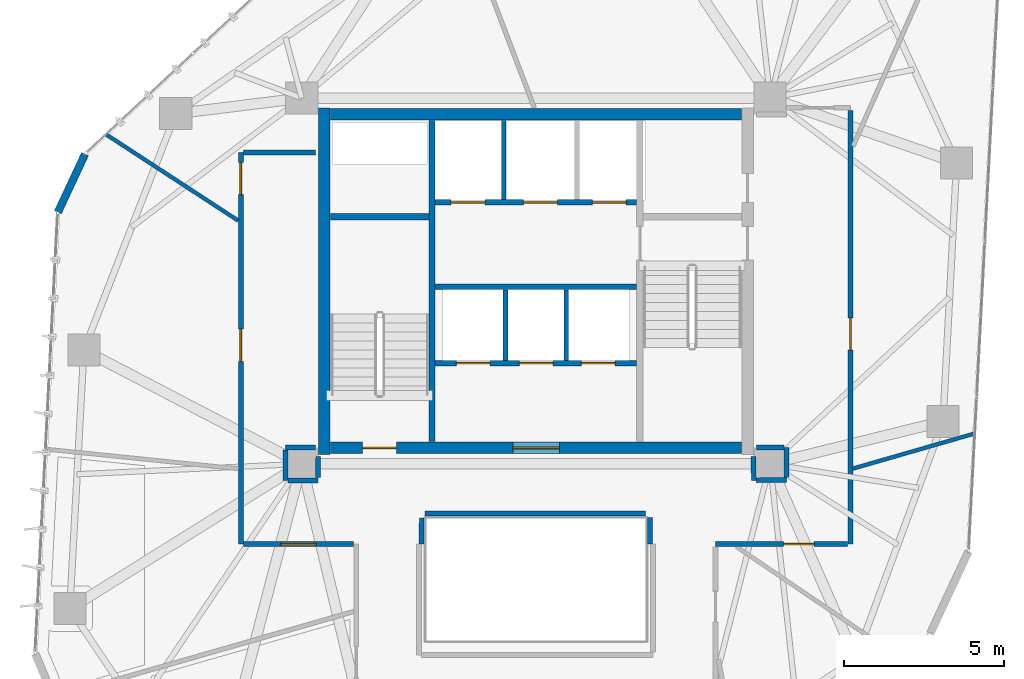
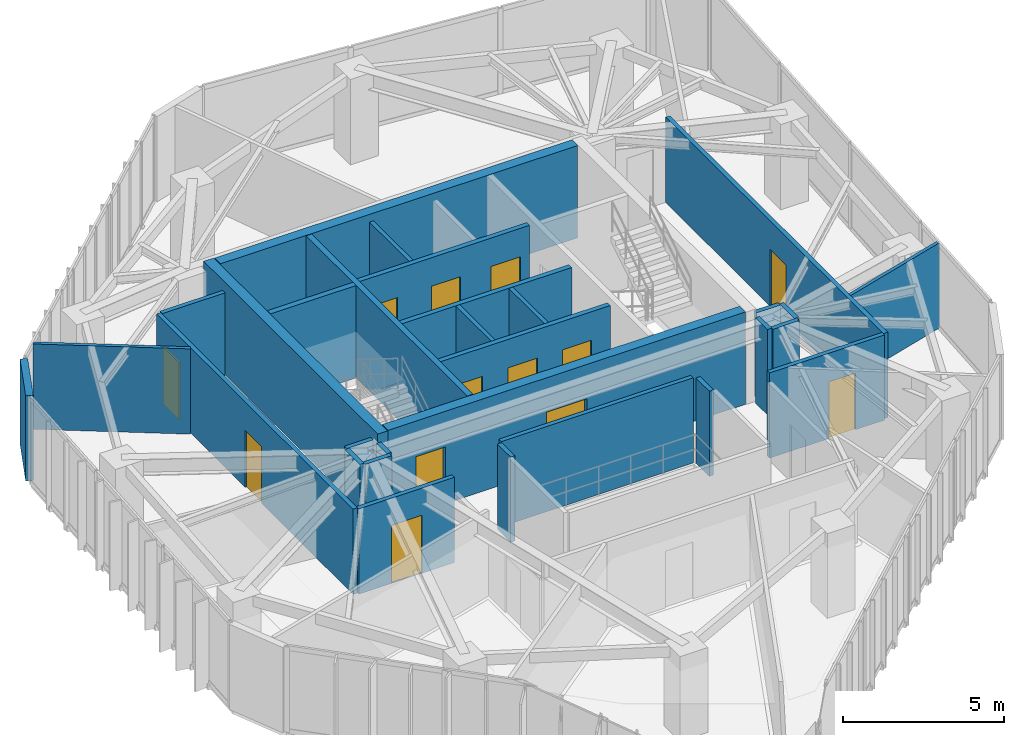
# One storey, part 16 of 19: 30 walls, 13 doors, 13 openings.
"""IFC4 building model written with IfcOpenShell, lengths in metres."""

from ifc_helpers import new_model, si_unit, direction, frame, frame_2d, origin, place, context, subcontext, project, spatial, rectangle, extrude, source, transform, mapped, material, layer, layer_set, type_object, type_shapes, element, fill, save


model = new_model("IFC4")

# Units and contexts
model_context = context("Model", 3, precision=1e-05, world=origin(), true_north=direction((0.0, 1.0)))
body_context = subcontext(model_context, "Body", "Model", "MODEL_VIEW")
ifc_project = project(units=[si_unit("LENGTHUNIT", "METRE"), si_unit("AREAUNIT", "SQUARE_METRE"), si_unit("VOLUMEUNIT", "CUBIC_METRE"), si_unit("PLANEANGLEUNIT", "RADIAN"), si_unit("MASSUNIT", "GRAM", prefix="KILO")], contexts=[model_context])

# Site, building, storey
site_placement = place(None, origin())
site = spatial("IfcSite", under=ifc_project, at=site_placement, CompositionType="ELEMENT")
building_placement = place(site_placement, origin())
building = spatial("IfcBuilding", under=site, at=building_placement, Name="Talar Marvaseh", CompositionType="ELEMENT")
storey_placement = place(building_placement, frame((0.0, 0.0, 218.699951171875)))
storey = spatial("IfcBuildingStorey", under=building, at=storey_placement, Name="L57", CompositionType="ELEMENT", Elevation=218.699951171875)

# Wall
ifc_material_1 = material(Name="Precast concrete C45/55", Category="concrete")
ifc_layer_1 = layer(ifc_material_1, 0.239990234375)
ifc_layer_set_1 = layer_set([ifc_layer_1], Name="Precast concrete C45/55")
wall_type_1 = type_object("IfcWallType", Name="Chamfered Hexagonal Corner Pier Wall Z3 240", PredefinedType="SOLIDWALL", material=ifc_layer_set_1)
wall_1_placement = place(storey_placement, frame((11.098388671875, 33.34375, 0.0), z_axis=(0.0, 0.0, 1.0), x_axis=(0.422571833361, 0.906329435498, 0.0)))
element("IfcWall", 1, at=wall_1_placement, inside=storey, type_object=wall_type_1, Name="L57 Chamfered Corner Limestone Pier 3", PredefinedType="SOLIDWALL", context=body_context, shape_type="SweptSolid", body=[
    extrude(rectangle(XDim=2.003173828125, YDim=0.239990234375, at=frame_2d((1.00146484375, 0.0))), origin(), (0.0, 0.0, 1.0), 3.22998046875),
])

# Wall, openings, doors
ifc_material_2 = material(Name="Gypsum Board Partition Assembly")
ifc_layer_2 = layer(ifc_material_2, 0.155029296875)
ifc_layer_set_2 = layer_set([ifc_layer_2], Name="Gypsum Board Partition Assembly")
wall_type_2 = type_object("IfcWallType", Name="Corridor Fire-Rated Acoustic Partition 155", PredefinedType="PARTITIONING", material=ifc_layer_set_2)
wall_2_placement = place(storey_placement, frame((16.800048828125, 23.0, 0.0), z_axis=(0.0, 0.0, 1.0), x_axis=(0.0, 1.0, 0.0)))
wall_2 = element("IfcWall", 2, at=wall_2_placement, inside=storey, type_object=wall_type_2, Name="L57 Interior Partition Wall", PredefinedType="PARTITIONING", context=body_context, shape_type="SweptSolid", body=[
    extrude(rectangle(XDim=12.199951171875, YDim=0.155029296875, at=frame_2d((6.10009765625, 0.0))), origin(), (0.0, 0.0, 1.0), 3.22998046875),
])
opening_1_placement = place(wall_2_placement, frame((10.891845703125, 0.0, 0.0)))
opening_1 = element("IfcOpeningElement", 3, at=opening_1_placement, cuts=wall_2, Name="Opening DR-RM100", PredefinedType="OPENING", context=body_context, shape_type="SweptSolid", body=[
    extrude(rectangle(XDim=1.0, YDim=2.14990234375, at=frame_2d((0.5, 1.074951171875))), frame((0.0, 0.08740234375, 0.0), z_axis=(0.0, -1.0, 0.0), x_axis=(1.0, 0.0, 0.0)), (0.0, 0.0, 1.0), 0.175048828125),
])
opening_2_placement = place(wall_2_placement, frame((5.697021484375, 0.0, 0.0)))
opening_2 = element("IfcOpeningElement", 4, at=opening_2_placement, cuts=wall_2, Name="Opening DR-RM100", PredefinedType="OPENING", context=body_context, shape_type="SweptSolid", body=[
    extrude(rectangle(XDim=1.0, YDim=2.14990234375, at=frame_2d((0.5, 1.074951171875))), frame((0.0, 0.08740234375, 0.0), z_axis=(0.0, -1.0, 0.0), x_axis=(1.0, 0.0, 0.0)), (0.0, 0.0, 1.0), 0.175048828125),
])
ifc_material_3 = material(Name="Acoustic Engineered Oak Timber", Category="wood")
door_type_1 = type_object("IfcDoorType", Name="Corridor Fire-Rated Gallery Door 1000x2150", OperationType="NOTDEFINED", PredefinedType="DOOR", material=ifc_material_3)
shared_shape_1 = source(origin(), body_context, "Body", "SweptSolid", [
    extrude(rectangle(XDim=1.0, YDim=2.14990234375, at=frame_2d((0.5, 1.074951171875))), frame((0.0, 0.02490234375, 0.0), z_axis=(0.0, -1.0, 0.0), x_axis=(1.0, 0.0, 0.0)), (0.0, 0.0, 1.0), 0.050048828125),
])
type_shapes(door_type_1, [shared_shape_1])
door_1_placement = place(opening_1_placement, origin())
door_1 = element("IfcDoor", 5, at=door_1_placement, inside=storey, type_object=door_type_1, Name="L57 Digital Paleography Studio Door", OperationType="SINGLE_SWING_RIGHT", OverallHeight=2.14990234375, OverallWidth=1.0, PredefinedType="DOOR", context=body_context, shape_type="MappedRepresentation", body=[
    mapped(shared_shape_1, transform((0.0, 0.0, 0.0), x_axis=(1.0, 0.0, 0.0), y_axis=(0.0, 1.0, 0.0), z_axis=(0.0, 0.0, 1.0), scale=1.0)),
])
fill(opening_1, door_1)
door_2_placement = place(opening_2_placement, origin())
door_2 = element("IfcDoor", 6, at=door_2_placement, inside=storey, type_object=door_type_1, Name="L57 Quiet Research Study Door", OperationType="SINGLE_SWING_LEFT", OverallHeight=2.14990234375, OverallWidth=1.0, PredefinedType="DOOR", context=body_context, shape_type="MappedRepresentation", body=[
    mapped(shared_shape_1, transform((0.0, 0.0, 0.0), x_axis=(1.0, 0.0, 0.0), y_axis=(0.0, 1.0, 0.0), z_axis=(0.0, 0.0, 1.0), scale=1.0)),
])
fill(opening_2, door_2)

# Wall, opening, door
wall_3_placement = place(storey_placement, frame((35.800048828125, 36.5166015625, 0.0), z_axis=(0.0, 0.0, 1.0), x_axis=(0.0, -1.0, 0.0)))
wall_3 = element("IfcWall", 7, at=wall_3_placement, inside=storey, type_object=wall_type_2, Name="L57 Interior Partition Wall", PredefinedType="PARTITIONING", context=body_context, shape_type="SweptSolid", body=[
    extrude(rectangle(XDim=13.5166015625, YDim=0.155029296875, at=frame_2d((6.75830078125, 0.0))), origin(), (0.0, 0.0, 1.0), 3.22998046875),
])
opening_3_placement = place(wall_3_placement, frame((6.4716796875, 0.0, 0.0)))
opening_3 = element("IfcOpeningElement", 8, at=opening_3_placement, cuts=wall_3, Name="Opening DR-RM100", PredefinedType="OPENING", context=body_context, shape_type="SweptSolid", body=[
    extrude(rectangle(XDim=1.0, YDim=2.14990234375, at=frame_2d((0.5, 1.074951171875))), frame((0.0, 0.08740234375, 0.0), z_axis=(0.0, -1.0, 0.0), x_axis=(1.0, 0.0, 0.0)), (0.0, 0.0, 1.0), 0.175048828125),
])
door_3_placement = place(opening_3_placement, origin())
door_3 = element("IfcDoor", 9, at=door_3_placement, inside=storey, type_object=door_type_1, Name="L57 Scholars' Registration Reception Door", OperationType="SINGLE_SWING_RIGHT", OverallHeight=2.14990234375, OverallWidth=1.0, PredefinedType="DOOR", context=body_context, shape_type="MappedRepresentation", body=[
    mapped(shared_shape_1, transform((0.0, 0.0, 0.0), x_axis=(1.0, 0.0, 0.0), y_axis=(0.0, 1.0, 0.0), z_axis=(0.0, 0.0, 1.0), scale=1.0)),
])
fill(opening_3, door_3)

wall_4_placement = place(storey_placement, frame((35.716552734375, 23.0, 0.0), z_axis=(0.0, 0.0, 1.0), x_axis=(-1.0, 0.0, 0.0)))
wall_4 = element("IfcWall", 10, at=wall_4_placement, inside=storey, type_object=wall_type_2, Name="L57 Interior Partition Wall", PredefinedType="PARTITIONING", context=body_context, shape_type="SweptSolid", body=[
    extrude(rectangle(XDim=4.116455078125, YDim=0.155029296875, at=frame_2d((2.05810546875, 0.0))), origin(), (0.0, 0.0, 1.0), 3.22998046875),
])
opening_4_placement = place(wall_4_placement, frame((1.04296875, 0.0, 0.0)))
opening_4 = element("IfcOpeningElement", 11, at=opening_4_placement, cuts=wall_4, Name="Opening DR-WC095", PredefinedType="OPENING", context=body_context, shape_type="SweptSolid", body=[
    extrude(rectangle(XDim=0.949951171875, YDim=2.14990234375, at=frame_2d((0.47509765625, 1.074951171875))), frame((0.0, 0.08740234375, 0.0), z_axis=(0.0, -1.0, 0.0), x_axis=(1.0, 0.0, 0.0)), (0.0, 0.0, 1.0), 0.175048828125),
])
door_type_2 = type_object("IfcDoorType", Name="Washroom and Service Room Door 950x2150", OperationType="NOTDEFINED", PredefinedType="DOOR", material=ifc_material_3)
shared_shape_2 = source(origin(), body_context, "Body", "SweptSolid", [
    extrude(rectangle(XDim=0.949951171875, YDim=2.14990234375, at=frame_2d((0.47509765625, 1.074951171875))), frame((0.0, 0.02490234375, 0.0), z_axis=(0.0, -1.0, 0.0), x_axis=(1.0, 0.0, 0.0)), (0.0, 0.0, 1.0), 0.050048828125),
])
type_shapes(door_type_2, [shared_shape_2])
door_4_placement = place(opening_4_placement, origin())
door_4 = element("IfcDoor", 12, at=door_4_placement, inside=storey, type_object=door_type_2, Name="L57 Accessible WC Door", OperationType="SINGLE_SWING_LEFT", OverallHeight=2.14990234375, OverallWidth=0.949951171875, PredefinedType="DOOR", context=body_context, shape_type="MappedRepresentation", body=[
    mapped(shared_shape_2, transform((0.0, 0.0, 0.0), x_axis=(1.0, 0.0, 0.0), y_axis=(0.0, 1.0, 0.0), z_axis=(0.0, 0.0, 1.0), scale=1.0)),
])
fill(opening_4, door_4)

wall_5_placement = place(storey_placement, frame((20.31640625, 23.0, 0.0), z_axis=(0.0, 0.0, 1.0), x_axis=(-1.0, 0.0, 0.0)))
wall_5 = element("IfcWall", 13, at=wall_5_placement, inside=storey, type_object=wall_type_2, Name="L57 Interior Partition Wall", PredefinedType="PARTITIONING", context=body_context, shape_type="SweptSolid", body=[
    extrude(rectangle(XDim=3.432861328125, YDim=0.155029296875, at=frame_2d((1.71630859375, 0.0))), origin(), (0.0, 0.0, 1.0), 3.22998046875),
])
opening_5_placement = place(wall_5_placement, frame((1.16650390625, 0.0, 0.0)))
opening_5 = element("IfcOpeningElement", 14, at=opening_5_placement, cuts=wall_5, Name="Opening DR-RM110", PredefinedType="OPENING", context=body_context, shape_type="SweptSolid", body=[
    extrude(rectangle(XDim=1.10009765625, YDim=2.199951171875, at=frame_2d((0.550048828125, 1.10009765625))), frame((0.0, 0.08740234375, 0.0), z_axis=(0.0, -1.0, 0.0), x_axis=(1.0, 0.0, 0.0)), (0.0, 0.0, 1.0), 0.175048828125),
])
door_type_3 = type_object("IfcDoorType", Name="Assembly and Reading Hall Door 1100x2200", OperationType="NOTDEFINED", PredefinedType="DOOR", material=ifc_material_3)
shared_shape_3 = source(origin(), body_context, "Body", "SweptSolid", [
    extrude(rectangle(XDim=1.10009765625, YDim=2.199951171875, at=frame_2d((0.550048828125, 1.10009765625))), frame((0.0, 0.02490234375, 0.0), z_axis=(0.0, -1.0, 0.0), x_axis=(1.0, 0.0, 0.0)), (0.0, 0.0, 1.0), 0.050048828125),
])
type_shapes(door_type_3, [shared_shape_3])
door_5_placement = place(opening_5_placement, origin())
door_5 = element("IfcDoor", 15, at=door_5_placement, inside=storey, type_object=door_type_3, Name="L57 Gallery Concierge Reception Door", OperationType="SINGLE_SWING_RIGHT", OverallHeight=2.199951171875, OverallWidth=1.10009765625, PredefinedType="DOOR", context=body_context, shape_type="MappedRepresentation", body=[
    mapped(shared_shape_3, transform((0.0, 0.0, 0.0), x_axis=(1.0, 0.0, 0.0), y_axis=(0.0, 1.0, 0.0), z_axis=(0.0, 0.0, 1.0), scale=1.0)),
])
fill(opening_5, door_5)

# Walls
wall_6_placement = place(storey_placement, frame((16.883544921875, 35.199951171875, 0.0), z_axis=(0.0, 0.0, 1.0), x_axis=(1.0, 0.0, 0.0)))
element("IfcWall", 16, at=wall_6_placement, inside=storey, type_object=wall_type_2, Name="L57 Interior Partition Wall", PredefinedType="PARTITIONING", context=body_context, shape_type="SweptSolid", body=[
    extrude(rectangle(XDim=2.246337890625, YDim=0.155029296875, at=frame_2d((1.123046875, 0.0))), origin(), (0.0, 0.0, 1.0), 3.22998046875),
])
wall_7_placement = place(storey_placement, frame((19.1298828125, 26.0146484375, 0.0), z_axis=(0.0, 0.0, 1.0), x_axis=(-0.99999026157, -0.004413248818, 0.0)))
element("IfcWall", 17, at=wall_7_placement, inside=storey, type_object=wall_type_2, Name="L57 Interior Partition Wall", PredefinedType="PARTITIONING", context=body_context, shape_type="SweptSolid", body=[
    extrude(rectangle(XDim=0.9404296875, YDim=0.155029296875, at=frame_2d((0.47021484375, 0.0))), origin(), (0.0, 0.0, 1.0), 3.22998046875),
])
wall_8_placement = place(storey_placement, frame((18.189697265625, 25.927001953125, 0.0), z_axis=(0.0, 0.0, 1.0), x_axis=(0.002078997586, -0.999997838882, 0.0)))
element("IfcWall", 18, at=wall_8_placement, inside=storey, type_object=wall_type_2, Name="L57 Interior Partition Wall", PredefinedType="PARTITIONING", context=body_context, shape_type="SweptSolid", body=[
    extrude(rectangle(XDim=0.939453125, YDim=0.155029296875, at=frame_2d((0.4697265625, 0.0))), origin(), (0.0, 0.0, 1.0), 3.22998046875),
])
wall_9_placement = place(storey_placement, frame((18.275146484375, 24.987548828125, 0.0), z_axis=(0.0, 0.0, 1.0), x_axis=(0.999999692748, 0.0007839036, 0.0)))
element("IfcWall", 19, at=wall_9_placement, inside=storey, type_object=wall_type_2, Name="L57 Interior Partition Wall", PredefinedType="PARTITIONING", context=body_context, shape_type="SweptSolid", body=[
    extrude(rectangle(XDim=0.934326171875, YDim=0.155029296875, at=frame_2d((0.46728515625, 0.0))), origin(), (0.0, 0.0, 1.0), 3.22998046875),
])
wall_10_placement = place(storey_placement, frame((19.210205078125, 25.072021484375, 0.0), z_axis=(0.0, 0.0, 1.0), x_axis=(0.007420945932, 0.999972464402, 0.0)))
element("IfcWall", 20, at=wall_10_placement, inside=storey, type_object=wall_type_2, Name="L57 Interior Partition Wall", PredefinedType="PARTITIONING", context=body_context, shape_type="SweptSolid", body=[
    extrude(rectangle(XDim=0.657958984375, YDim=0.155029296875, at=frame_2d((0.3291015625, 0.0))), origin(), (0.0, 0.0, 1.0), 3.22998046875),
])
wall_11_placement = place(storey_placement, frame((32.784912109375, 25.72998046875, 0.0), z_axis=(0.0, 0.0, 1.0), x_axis=(0.007570553288, -0.999971342951, 0.0)))
element("IfcWall", 21, at=wall_11_placement, inside=storey, type_object=wall_type_2, Name="L57 Interior Partition Wall", PredefinedType="PARTITIONING", context=body_context, shape_type="SweptSolid", body=[
    extrude(rectangle(XDim=0.74169921875, YDim=0.155029296875, at=frame_2d((0.370849609375, 0.0))), origin(), (0.0, 0.0, 1.0), 3.22998046875),
])
wall_12_placement = place(storey_placement, frame((32.8740234375, 24.9892578125, 0.0), z_axis=(0.0, 0.0, 1.0), x_axis=(0.999934835738, 0.01141596595, 0.0)))
element("IfcWall", 22, at=wall_12_placement, inside=storey, type_object=wall_type_2, Name="L57 Interior Partition Wall", PredefinedType="PARTITIONING", context=body_context, shape_type="SweptSolid", body=[
    extrude(rectangle(XDim=0.94091796875, YDim=0.155029296875, at=frame_2d((0.470458984375, 0.0))), origin(), (0.0, 0.0, 1.0), 3.22998046875),
])
wall_13_placement = place(storey_placement, frame((33.814697265625, 25.08349609375, 0.0), z_axis=(0.0, 0.0, 1.0), x_axis=(-0.004477173984, 0.999989977406, 0.0)))
element("IfcWall", 23, at=wall_13_placement, inside=storey, type_object=wall_type_2, Name="L57 Interior Partition Wall", PredefinedType="PARTITIONING", context=body_context, shape_type="SweptSolid", body=[
    extrude(rectangle(XDim=0.927001953125, YDim=0.155029296875, at=frame_2d((0.46337890625, 0.0))), origin(), (0.0, 0.0, 1.0), 3.22998046875),
])
wall_14_placement = place(storey_placement, frame((33.72705078125, 26.010986328125, 0.0), z_axis=(0.0, 0.0, 1.0), x_axis=(-0.999990868706, 0.004273465251, 0.0)))
element("IfcWall", 24, at=wall_14_placement, inside=storey, type_object=wall_type_2, Name="L57 Interior Partition Wall", PredefinedType="PARTITIONING", context=body_context, shape_type="SweptSolid", body=[
    extrude(rectangle(XDim=0.85693359375, YDim=0.155029296875, at=frame_2d((0.428466796875, 0.0))), origin(), (0.0, 0.0, 1.0), 3.22998046875),
])
wall_15_placement = place(storey_placement, frame((29.415771484375, 23.959228515625, 0.0), z_axis=(0.0, 0.0, 1.0), x_axis=(-0.999998607957, -0.001668557745, 0.0)))
element("IfcWall", 25, at=wall_15_placement, inside=storey, type_object=wall_type_2, Name="L57 Interior Partition Wall", PredefinedType="PARTITIONING", context=body_context, shape_type="SweptSolid", body=[
    extrude(rectangle(XDim=6.876953125, YDim=0.155029296875, at=frame_2d((3.4384765625, 0.0))), origin(), (0.0, 0.0, 1.0), 3.22998046875),
])
wall_16_placement = place(storey_placement, frame((22.44091796875, 23.815673828125, 0.0), z_axis=(0.0, 0.0, 1.0), x_axis=(-0.001197245475, -0.999999283301, 0.0)))
element("IfcWall", 26, at=wall_16_placement, inside=storey, type_object=wall_type_2, Name="L57 Interior Partition Wall", PredefinedType="PARTITIONING", context=body_context, shape_type="SweptSolid", body=[
    extrude(rectangle(XDim=0.815673828125, YDim=0.155029296875, at=frame_2d((0.40771484375, 0.0))), origin(), (0.0, 0.0, 1.0), 3.22998046875),
])
wall_17_placement = place(storey_placement, frame((29.56005859375, 23.0, 0.0), z_axis=(0.0, 0.0, 1.0), x_axis=(-0.003817887006, 0.999992711843, 0.0)))
element("IfcWall", 27, at=wall_17_placement, inside=storey, type_object=wall_type_2, Name="L57 Interior Partition Wall", PredefinedType="PARTITIONING", context=body_context, shape_type="SweptSolid", body=[
    extrude(rectangle(XDim=0.831298828125, YDim=0.155029296875, at=frame_2d((0.41552734375, 0.0))), origin(), (0.0, 0.0, 1.0), 3.22998046875),
])
ifc_layer_3 = layer(ifc_material_2, 0.1201171875)
ifc_layer_set_3 = layer_set([ifc_layer_3], Name="Gypsum Board Partition Assembly")
wall_type_3 = type_object("IfcWallType", Name="Demountable Studio Room Partition 120", PredefinedType="PARTITIONING", material=ifc_layer_set_3)
wall_18_placement = place(storey_placement, frame((35.862548828125, 25.347900390625, 0.0), z_axis=(0.0, 0.0, 1.0), x_axis=(0.960877397795, 0.276974053669, 0.0)))
element("IfcWall", 28, at=wall_18_placement, inside=storey, type_object=wall_type_3, Name="L57 Interior Partition Wall", PredefinedType="PARTITIONING", context=body_context, shape_type="SweptSolid", body=[
    extrude(rectangle(XDim=3.948974609375, YDim=0.1201171875, at=frame_2d((1.974609375, 0.0))), origin(), (0.0, 0.0, 1.0), 3.22998046875),
])
wall_19_placement = place(storey_placement, frame((16.716552734375, 33.08447265625, 0.0), z_axis=(0.0, 0.0, 1.0), x_axis=(-0.837444801525, 0.546521915753, 0.0)))
element("IfcWall", 29, at=wall_19_placement, inside=storey, type_object=wall_type_3, Name="L57 Interior Partition Wall", PredefinedType="PARTITIONING", context=body_context, shape_type="SweptSolid", body=[
    extrude(rectangle(XDim=4.893310546875, YDim=0.1201171875, at=frame_2d((2.44677734375, 0.0))), origin(), (0.0, 0.0, 1.0), 3.22998046875),
])
ifc_layer_4 = layer(ifc_material_1, 0.14501953125)
ifc_layer_set_4 = layer_set([ifc_layer_4], Name="Precast concrete C45/55")
wall_type_4 = type_object("IfcWallType", Name="Fire-Rated Lift Divider Wall 145", PredefinedType="SOLIDWALL", material=ifc_layer_set_4)
wall_20_placement = place(storey_placement, frame((25.0, 33.743408203125, 0.0), z_axis=(0.0, 0.0, 1.0), x_axis=(0.0, 1.0, 0.0)))
element("IfcWall", 30, at=wall_20_placement, inside=storey, type_object=wall_type_4, Name="L57 FFL-1/FFL-2 Divider", PredefinedType="SOLIDWALL", context=body_context, shape_type="SweptSolid", body=[
    extrude(rectangle(XDim=2.45654296875, YDim=0.14501953125, at=frame_2d((1.228271484375, 0.0))), origin(), (0.0, 0.0, 1.0), 3.22998046875),
])
for number, where, z_axis, x_axis, name in (
    (31, (25.050048828125, 28.719970703125, 0.0), (0.0, 0.0, 1.0), (0.0, 1.0, 0.0), "L57 PL-H1/PL-H2 Divider"),
    (32, (26.949951171875, 28.719970703125, 0.0), (0.0, 0.0, 1.0), (0.0, 1.0, 0.0), "L57 PL-H2/PL-H3 Divider"),
):
    element("IfcWall", number, at=place(storey_placement, frame(where, z_axis=z_axis, x_axis=x_axis)), inside=storey, type_object=wall_type_4, Name=name, PredefinedType="SOLIDWALL", context=body_context, shape_type="SweptSolid", body=[
        extrude(rectangle(XDim=2.20654296875, YDim=0.14501953125, at=frame_2d((1.103271484375, 0.0))), origin(), (0.0, 0.0, 1.0), 3.22998046875),
    ])

# Wall, openings, doors
ifc_layer_5 = layer(ifc_material_1, 0.175048828125)
ifc_layer_set_5 = layer_set([ifc_layer_5], Name="Precast concrete C45/55")
wall_type_5 = type_object("IfcWallType", Name="Fire-Rated Lift Hoistway Enclosure Wall 175", PredefinedType="SOLIDWALL", material=ifc_layer_set_5)
wall_21_placement = place(storey_placement, frame((22.860107421875, 33.64990234375, 0.0), z_axis=(0.0, 0.0, 1.0), x_axis=(1.0, 0.0, 0.0)))
wall_21 = element("IfcWall", 33, at=wall_21_placement, inside=storey, type_object=wall_type_5, Name="L57 Firefighting and Service Lift Front Wall", PredefinedType="SOLIDWALL", context=body_context, shape_type="SweptSolid", body=[
    extrude(rectangle(XDim=6.27978515625, YDim=0.175048828125, at=frame_2d((3.139892578125, 0.0))), origin(), (0.0, 0.0, 1.0), 3.22998046875),
])
opening_6_placement = place(wall_21_placement, frame((0.5, 0.0, 0.0)))
opening_6 = element("IfcOpeningElement", 34, at=opening_6_placement, cuts=wall_21, Name="Opening LD-FF1", PredefinedType="OPENING", context=body_context, shape_type="SweptSolid", body=[
    extrude(rectangle(XDim=1.050048828125, YDim=2.14990234375, at=frame_2d((0.52490234375, 1.074951171875))), frame((0.0, 0.09765625, 0.0), z_axis=(0.0, -1.0, 0.0), x_axis=(1.0, 0.0, 0.0)), (0.0, 0.0, 1.0), 0.195068359375),
])
opening_7_placement = place(wall_21_placement, frame((2.760009765625, 0.0, 0.0)))
opening_7 = element("IfcOpeningElement", 35, at=opening_7_placement, cuts=wall_21, Name="Opening LD-FF2", PredefinedType="OPENING", context=body_context, shape_type="SweptSolid", body=[
    extrude(rectangle(XDim=1.050048828125, YDim=2.14990234375, at=frame_2d((0.52490234375, 1.074951171875))), frame((0.0, 0.09765625, 0.0), z_axis=(0.0, -1.0, 0.0), x_axis=(1.0, 0.0, 0.0)), (0.0, 0.0, 1.0), 0.195068359375),
])
opening_8_placement = place(wall_21_placement, frame((4.89990234375, 0.0, 0.0)))
opening_8 = element("IfcOpeningElement", 36, at=opening_8_placement, cuts=wall_21, Name="Opening LD-SV1", PredefinedType="OPENING", context=body_context, shape_type="SweptSolid", body=[
    extrude(rectangle(XDim=1.050048828125, YDim=2.14990234375, at=frame_2d((0.52490234375, 1.074951171875))), frame((0.0, 0.09765625, 0.0), z_axis=(0.0, -1.0, 0.0), x_axis=(1.0, 0.0, 0.0)), (0.0, 0.0, 1.0), 0.195068359375),
])
ifc_material_4 = material(Name="Stainless Steel Grade 316", Category="steel")
door_type_4 = type_object("IfcDoorType", Name="Automatic Sliding Lift Landing Door 1050x2150", OperationType="NOTDEFINED", PredefinedType="DOOR", material=ifc_material_4)
shared_shape_4 = source(origin(), body_context, "Body", "SweptSolid", [
    extrude(rectangle(XDim=1.050048828125, YDim=2.14990234375, at=frame_2d((0.52490234375, 1.074951171875))), frame((0.0, 0.02490234375, 0.0), z_axis=(0.0, -1.0, 0.0), x_axis=(1.0, 0.0, 0.0)), (0.0, 0.0, 1.0), 0.050048828125),
])
type_shapes(door_type_4, [shared_shape_4])
door_6_placement = place(opening_6_placement, origin())
door_6 = element("IfcDoor", 37, at=door_6_placement, inside=storey, type_object=door_type_4, Name="L57 Lift FFL-1 Sliding Landing Door", OperationType="SLIDING_TO_LEFT", OverallHeight=2.14990234375, OverallWidth=1.050048828125, PredefinedType="DOOR", context=body_context, shape_type="MappedRepresentation", body=[
    mapped(shared_shape_4, transform((0.0, 0.0, 0.0), x_axis=(1.0, 0.0, 0.0), y_axis=(0.0, 1.0, 0.0), z_axis=(0.0, 0.0, 1.0), scale=1.0)),
])
fill(opening_6, door_6)
door_7_placement = place(opening_7_placement, origin())
door_7 = element("IfcDoor", 38, at=door_7_placement, inside=storey, type_object=door_type_4, Name="L57 Lift FFL-2 Sliding Landing Door", OperationType="SLIDING_TO_LEFT", OverallHeight=2.14990234375, OverallWidth=1.050048828125, PredefinedType="DOOR", context=body_context, shape_type="MappedRepresentation", body=[
    mapped(shared_shape_4, transform((0.0, 0.0, 0.0), x_axis=(1.0, 0.0, 0.0), y_axis=(0.0, 1.0, 0.0), z_axis=(0.0, 0.0, 1.0), scale=1.0)),
])
fill(opening_7, door_7)
door_8_placement = place(opening_8_placement, origin())
door_8 = element("IfcDoor", 39, at=door_8_placement, inside=storey, type_object=door_type_4, Name="L57 Lift SVL-1 Sliding Landing Door", OperationType="SLIDING_TO_LEFT", OverallHeight=2.14990234375, OverallWidth=1.050048828125, PredefinedType="DOOR", context=body_context, shape_type="MappedRepresentation", body=[
    mapped(shared_shape_4, transform((0.0, 0.0, 0.0), x_axis=(1.0, 0.0, 0.0), y_axis=(0.0, 1.0, 0.0), z_axis=(0.0, 0.0, 1.0), scale=1.0)),
])
fill(opening_8, door_8)

# Wall
wall_22_placement = place(storey_placement, frame((22.860107421875, 31.02001953125, 0.0), z_axis=(0.0, 0.0, 1.0), x_axis=(1.0, 0.0, 0.0)))
element("IfcWall", 40, at=wall_22_placement, inside=storey, type_object=wall_type_5, Name="L57 Firefighting Lobby South Smoke Wall", PredefinedType="SOLIDWALL", context=body_context, shape_type="SweptSolid", body=[
    extrude(rectangle(XDim=6.27978515625, YDim=0.175048828125, at=frame_2d((3.139892578125, 0.0))), origin(), (0.0, 0.0, 1.0), 3.22998046875),
])

# Wall, openings, doors
wall_23_placement = place(storey_placement, frame((22.860107421875, 28.639892578125, 0.0), z_axis=(0.0, 0.0, 1.0), x_axis=(1.0, 0.0, 0.0)))
wall_23 = element("IfcWall", 41, at=wall_23_placement, inside=storey, type_object=wall_type_5, Name="L57 High-Rise Lift Bank Front Wall", PredefinedType="SOLIDWALL", context=body_context, shape_type="SweptSolid", body=[
    extrude(rectangle(XDim=6.27978515625, YDim=0.175048828125, at=frame_2d((3.139892578125, 0.0))), origin(), (0.0, 0.0, 1.0), 3.22998046875),
])
opening_9_placement = place(wall_23_placement, frame((0.659912109375, 0.0, 0.0)))
opening_9 = element("IfcOpeningElement", 42, at=opening_9_placement, cuts=wall_23, Name="Opening LD-PLH1", PredefinedType="OPENING", context=body_context, shape_type="SweptSolid", body=[
    extrude(rectangle(XDim=1.050048828125, YDim=2.14990234375, at=frame_2d((0.52490234375, 1.074951171875))), frame((0.0, 0.09765625, 0.0), z_axis=(0.0, -1.0, 0.0), x_axis=(1.0, 0.0, 0.0)), (0.0, 0.0, 1.0), 0.195068359375),
])
opening_10_placement = place(wall_23_placement, frame((2.6201171875, 0.0, 0.0)))
opening_10 = element("IfcOpeningElement", 43, at=opening_10_placement, cuts=wall_23, Name="Opening LD-PLH2", PredefinedType="OPENING", context=body_context, shape_type="SweptSolid", body=[
    extrude(rectangle(XDim=1.050048828125, YDim=2.14990234375, at=frame_2d((0.52490234375, 1.074951171875))), frame((0.0, 0.09765625, 0.0), z_axis=(0.0, -1.0, 0.0), x_axis=(1.0, 0.0, 0.0)), (0.0, 0.0, 1.0), 0.195068359375),
])
opening_11_placement = place(wall_23_placement, frame((4.56005859375, 0.0, 0.0)))
opening_11 = element("IfcOpeningElement", 44, at=opening_11_placement, cuts=wall_23, Name="Opening LD-PLH3", PredefinedType="OPENING", context=body_context, shape_type="SweptSolid", body=[
    extrude(rectangle(XDim=1.050048828125, YDim=2.14990234375, at=frame_2d((0.52490234375, 1.074951171875))), frame((0.0, 0.09765625, 0.0), z_axis=(0.0, -1.0, 0.0), x_axis=(1.0, 0.0, 0.0)), (0.0, 0.0, 1.0), 0.195068359375),
])
door_9_placement = place(opening_9_placement, origin())
door_9 = element("IfcDoor", 45, at=door_9_placement, inside=storey, type_object=door_type_4, Name="L57 Lift PL-H1 Sliding Landing Door", OperationType="SLIDING_TO_LEFT", OverallHeight=2.14990234375, OverallWidth=1.050048828125, PredefinedType="DOOR", context=body_context, shape_type="MappedRepresentation", body=[
    mapped(shared_shape_4, transform((0.0, 0.0, 0.0), x_axis=(1.0, 0.0, 0.0), y_axis=(0.0, 1.0, 0.0), z_axis=(0.0, 0.0, 1.0), scale=1.0)),
])
fill(opening_9, door_9)
door_10_placement = place(opening_10_placement, origin())
door_10 = element("IfcDoor", 46, at=door_10_placement, inside=storey, type_object=door_type_4, Name="L57 Lift PL-H2 Sliding Landing Door", OperationType="SLIDING_TO_LEFT", OverallHeight=2.14990234375, OverallWidth=1.050048828125, PredefinedType="DOOR", context=body_context, shape_type="MappedRepresentation", body=[
    mapped(shared_shape_4, transform((0.0, 0.0, 0.0), x_axis=(1.0, 0.0, 0.0), y_axis=(0.0, 1.0, 0.0), z_axis=(0.0, 0.0, 1.0), scale=1.0)),
])
fill(opening_10, door_10)
door_11_placement = place(opening_11_placement, origin())
door_11 = element("IfcDoor", 47, at=door_11_placement, inside=storey, type_object=door_type_4, Name="L57 Lift PL-H3 Sliding Landing Door", OperationType="SLIDING_TO_LEFT", OverallHeight=2.14990234375, OverallWidth=1.050048828125, PredefinedType="DOOR", context=body_context, shape_type="MappedRepresentation", body=[
    mapped(shared_shape_4, transform((0.0, 0.0, 0.0), x_axis=(1.0, 0.0, 0.0), y_axis=(0.0, 1.0, 0.0), z_axis=(0.0, 0.0, 1.0), scale=1.0)),
])
fill(opening_11, door_11)

# Walls
ifc_material_5 = material(Name="Concrete C50/60", Category="concrete")
ifc_layer_6 = layer(ifc_material_5, 0.199951171875)
ifc_layer_set_6 = layer_set([ifc_layer_6], Name="Concrete C50/60")
wall_type_6 = type_object("IfcWallType", Name="Stair Shaft Structural Concrete Shear Wall 200", PredefinedType="SHEAR", material=ifc_layer_set_6)
wall_24_placement = place(storey_placement, frame((22.760009765625, 26.199951171875, 0.0), z_axis=(0.0, 0.0, 1.0), x_axis=(0.0, 1.0, 0.0)))
element("IfcWall", 48, at=wall_24_placement, inside=storey, type_object=wall_type_6, Name="L57 Core West Stair Shear Wall", PredefinedType="SHEAR", context=body_context, shape_type="SweptSolid", body=[
    extrude(rectangle(XDim=10.0, YDim=0.199951171875, at=frame_2d((5.0, 0.0))), origin(), (0.0, 0.0, 1.0), 3.5),
])
wall_25_placement = place(storey_placement, frame((19.60009765625, 33.199951171875, 0.0), z_axis=(0.0, 0.0, 1.0), x_axis=(1.0, 0.0, 0.0)))
element("IfcWall", 49, at=wall_25_placement, inside=storey, type_object=wall_type_6, Name="L57 Stair ST-1 North Shear Wall", PredefinedType="SHEAR", context=body_context, shape_type="SweptSolid", body=[
    extrude(rectangle(XDim=3.059814453125, YDim=0.199951171875, at=frame_2d((1.52978515625, 0.0))), origin(), (0.0, 0.0, 1.0), 3.5),
])
ifc_layer_7 = layer(ifc_material_5, 0.360107421875)
ifc_layer_set_7 = layer_set([ifc_layer_7], Name="Concrete C50/60")
wall_type_7 = type_object("IfcWallType", Name="Upper Core Reinforced Concrete Shear Wall 360", PredefinedType="SHEAR", material=ifc_layer_set_7)
wall_26_placement = place(storey_placement, frame((19.39990234375, 25.800048828125, 0.0), z_axis=(0.0, 0.0, 1.0), x_axis=(0.0, 1.0, 0.0)))
element("IfcWall", 50, at=wall_26_placement, inside=storey, type_object=wall_type_7, Name="L57 West Core Shear Wall", PredefinedType="SHEAR", context=body_context, shape_type="SweptSolid", body=[
    extrude(rectangle(XDim=10.800048828125, YDim=0.360107421875, at=frame_2d((5.39990234375, 0.0))), origin(), (0.0, 0.0, 1.0), 3.5),
])
wall_27_placement = place(storey_placement, frame((19.60009765625, 36.39990234375, 0.0), z_axis=(0.0, 0.0, 1.0), x_axis=(1.0, 0.0, 0.0)))
element("IfcWall", 51, at=wall_27_placement, inside=storey, type_object=wall_type_7, Name="L57 North Core Shear Wall", PredefinedType="SHEAR", context=body_context, shape_type="SweptSolid", body=[
    extrude(rectangle(XDim=12.7998046875, YDim=0.360107421875, at=frame_2d((6.39990234375, 0.0))), origin(), (0.0, 0.0, 1.0), 3.5),
])

# Wall, openings, doors
wall_28_placement = place(storey_placement, frame((32.39990234375, 26.0, 0.0), z_axis=(0.0, 0.0, 1.0), x_axis=(-1.0, 0.0, 0.0)))
wall_28 = element("IfcWall", 52, at=wall_28_placement, inside=storey, type_object=wall_type_7, Name="L57 South Core Shear Wall", PredefinedType="SHEAR", context=body_context, shape_type="SweptSolid", body=[
    extrude(rectangle(XDim=12.7998046875, YDim=0.360107421875, at=frame_2d((6.39990234375, 0.0))), origin(), (0.0, 0.0, 1.0), 3.5),
])
opening_12_placement = place(wall_28_placement, frame((10.75, 0.0, 0.0)))
opening_12 = element("IfcOpeningElement", 53, at=opening_12_placement, cuts=wall_28, Name="Opening DR-ST105", PredefinedType="OPENING", context=body_context, shape_type="SweptSolid", body=[
    extrude(rectangle(XDim=1.050048828125, YDim=2.14990234375, at=frame_2d((0.52490234375, 1.074951171875))), frame((0.0, 0.18994140625, 0.0), z_axis=(0.0, -1.0, 0.0), x_axis=(1.0, 0.0, 0.0)), (0.0, 0.0, 1.0), 0.380126953125),
])
opening_13_placement = place(wall_28_placement, frame((5.669921875, 0.0, 0.0)))
opening_13 = element("IfcOpeningElement", 54, at=opening_13_placement, cuts=wall_28, Name="Opening DR-LBY145", PredefinedType="OPENING", context=body_context, shape_type="SweptSolid", body=[
    extrude(rectangle(XDim=1.449951171875, YDim=2.199951171875, at=frame_2d((0.72509765625, 1.10009765625))), frame((0.0, 0.18994140625, 0.0), z_axis=(0.0, -1.0, 0.0), x_axis=(1.0, 0.0, 0.0)), (0.0, 0.0, 1.0), 0.380126953125),
])
ifc_material_6 = material(Name="Fire-Rated Steel Door Leaf", Category="steel")
door_type_5 = type_object("IfcDoorType", Name="Protected Exit Stair Fire Door 1050x2150", OperationType="NOTDEFINED", PredefinedType="DOOR", material=ifc_material_6)
shared_shape_5 = source(origin(), body_context, "Body", "SweptSolid", [
    extrude(rectangle(XDim=1.050048828125, YDim=2.14990234375, at=frame_2d((0.52490234375, 1.074951171875))), frame((0.0, 0.02490234375, 0.0), z_axis=(0.0, -1.0, 0.0), x_axis=(1.0, 0.0, 0.0)), (0.0, 0.0, 1.0), 0.050048828125),
])
type_shapes(door_type_5, [shared_shape_5])
door_12_placement = place(opening_12_placement, origin())
door_12 = element("IfcDoor", 55, at=door_12_placement, inside=storey, type_object=door_type_5, Name="L57 Stair ST-1 Exit Door", OperationType="SINGLE_SWING_RIGHT", OverallHeight=2.14990234375, OverallWidth=1.050048828125, PredefinedType="DOOR", context=body_context, shape_type="MappedRepresentation", body=[
    mapped(shared_shape_5, transform((0.0, 0.0, 0.0), x_axis=(1.0, 0.0, 0.0), y_axis=(0.0, 1.0, 0.0), z_axis=(0.0, 0.0, 1.0), scale=1.0)),
])
fill(opening_12, door_12)
door_type_6 = type_object("IfcDoorType", Name="Core Lift Lobby Double Smoke Door 1450x2200", OperationType="NOTDEFINED", PredefinedType="DOOR", material=ifc_material_6)
shared_shape_6 = source(origin(), body_context, "Body", "SweptSolid", [
    extrude(rectangle(XDim=1.449951171875, YDim=2.199951171875, at=frame_2d((0.72509765625, 1.10009765625))), frame((0.0, 0.02490234375, 0.0), z_axis=(0.0, -1.0, 0.0), x_axis=(1.0, 0.0, 0.0)), (0.0, 0.0, 1.0), 0.050048828125),
])
type_shapes(door_type_6, [shared_shape_6])
door_13_placement = place(opening_13_placement, origin())
door_13 = element("IfcDoor", 56, at=door_13_placement, inside=storey, type_object=door_type_6, Name="L57 Passenger Lift Lobby Entrance Door", OperationType="DOUBLE_DOOR_SINGLE_SWING", OverallHeight=2.199951171875, OverallWidth=1.449951171875, PredefinedType="DOOR", context=body_context, shape_type="MappedRepresentation", body=[
    mapped(shared_shape_6, transform((0.0, 0.0, 0.0), x_axis=(1.0, 0.0, 0.0), y_axis=(0.0, 1.0, 0.0), z_axis=(0.0, 0.0, 1.0), scale=1.0)),
])
fill(opening_13, door_13)

save(model, "model.ifc")
